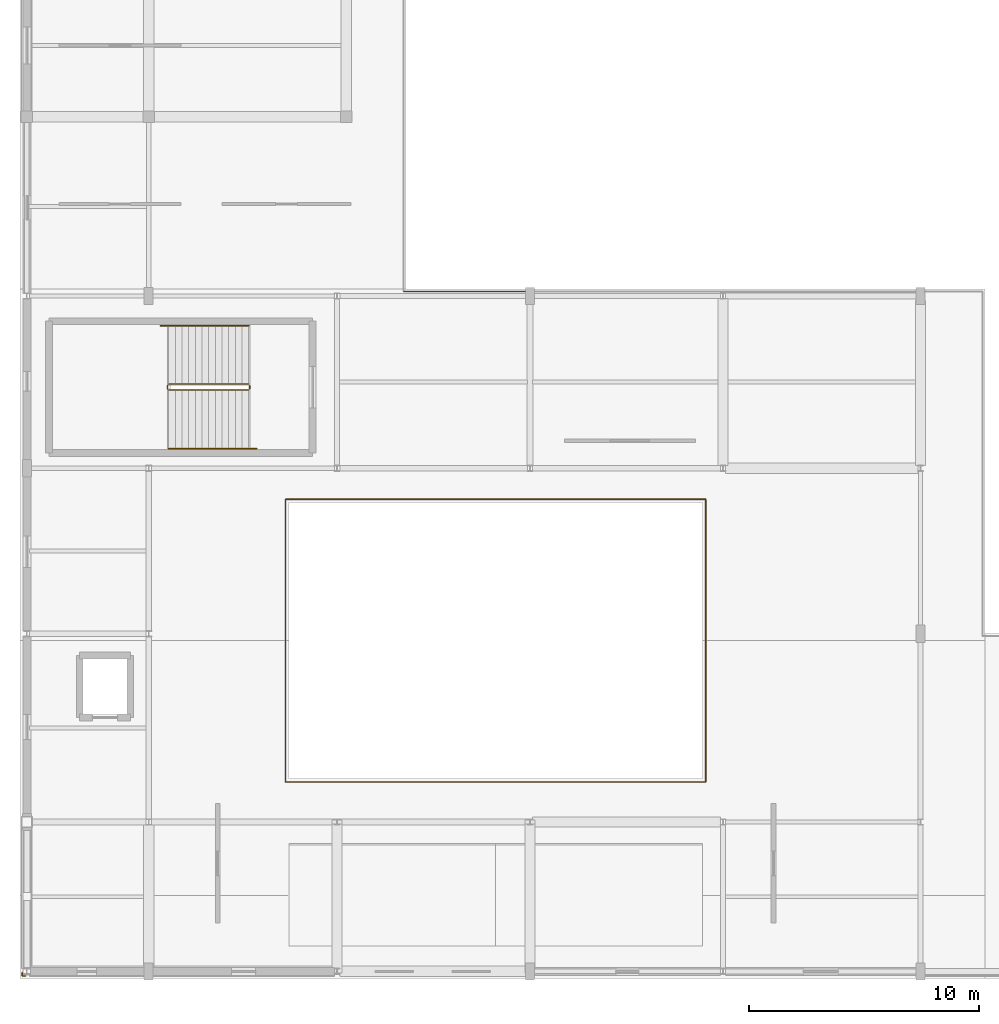
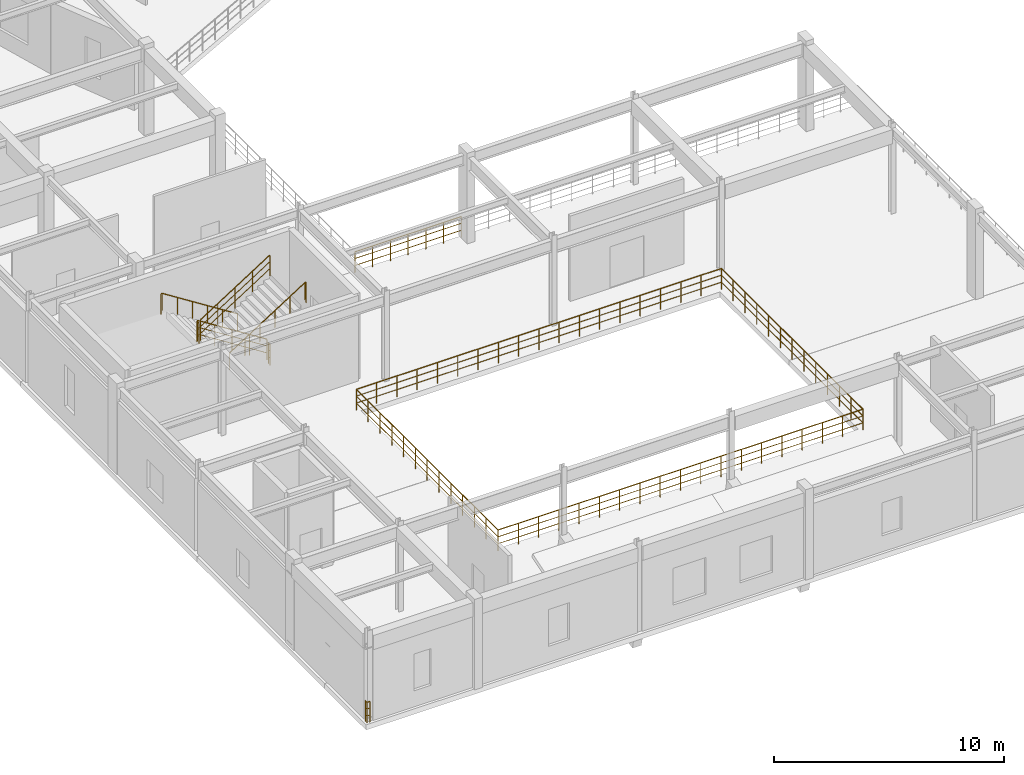
# One storey, part 130 of 144: 13 railings.
"""IFC4 building model written with IfcOpenShell, lengths in metres."""

from ifc_helpers import new_model, si_unit, direction, frame, origin, origin_2d, place, context, subcontext, project, spatial, circle, extrude, material, type_object, element, save


model = new_model("IFC4")

# Units and contexts
model_context = context("Model", 3, precision=1e-05, world=origin(), true_north=direction((0.0, 1.0)))
body_context = subcontext(model_context, "Body", "Model", "MODEL_VIEW")
ifc_project = project(units=[si_unit("LENGTHUNIT", "METRE"), si_unit("AREAUNIT", "SQUARE_METRE"), si_unit("VOLUMEUNIT", "CUBIC_METRE"), si_unit("PLANEANGLEUNIT", "RADIAN"), si_unit("MASSUNIT", "GRAM", prefix="KILO")], contexts=[model_context])

# Site, building, storey
site_placement = place(None, origin())
site = spatial("IfcSite", under=ifc_project, at=site_placement, CompositionType="ELEMENT")
building_placement = place(site_placement, origin())
building = spatial("IfcBuilding", under=site, at=building_placement, Name="Cinderbank Siding Concert Hall", CompositionType="ELEMENT")
storey_placement = place(building_placement, frame((0.0, 0.0, 5.39990234375)))
storey = spatial("IfcBuildingStorey", under=building, at=storey_placement, Name="L02", CompositionType="ELEMENT", Elevation=5.39990234375)

# Railings
ifc_material_1 = material(Name="Spotted gum glulam timber GL18 (42 MPa)", Category="wood")
railing_type_1 = type_object("IfcRailingType", Name="BAL-01 Auditorium Tier Balustrade 1120mm", PredefinedType="BALUSTRADE", material=ifc_material_1)
railing_1_placement = place(storey_placement, frame((18.35009765625, 14.35009765625, 0.0)))
element("IfcRailing", 1, at=railing_1_placement, inside=storey, type_object=railing_type_1, Name="L02 CH Gallery Balustrade 0", PredefinedType="BALUSTRADE", context=body_context, shape_type="SweptSolid", body=[
    extrude(circle(Radius=0.02392578125, at=origin_2d()), frame((0.0, 0.0, 1.09619140625), z_axis=(1.0, 0.0, 0.0), x_axis=(0.0, 1.0, 0.0)), (0.0, 0.0, 1.0), 18.2998046875),
    extrude(circle(Radius=0.01611328125, at=origin_2d()), frame((0.0, 0.0, 0.36962890625), z_axis=(1.0, 0.0, 0.0), x_axis=(0.0, 1.0, 0.0)), (0.0, 0.0, 1.0), 18.2998046875),
    extrude(circle(Radius=0.01611328125, at=origin_2d()), frame((0.0, 0.0, 0.7392578125), z_axis=(1.0, 0.0, 0.0), x_axis=(0.0, 1.0, 0.0)), (0.0, 0.0, 1.0), 18.2998046875),
    extrude(circle(Radius=0.02099609375, at=origin_2d()), origin(), (0.0, 0.0, 1.0), 1.072021484375),
    extrude(circle(Radius=0.02099609375, at=origin_2d()), frame((1.0166015625, 0.0, 0.0)), (0.0, 0.0, 1.0), 1.072021484375),
    extrude(circle(Radius=0.02099609375, at=origin_2d()), frame((2.033203125, 0.0, 0.0)), (0.0, 0.0, 1.0), 1.072021484375),
    extrude(circle(Radius=0.02099609375, at=origin_2d()), frame((3.050048828125, 0.0, 0.0)), (0.0, 0.0, 1.0), 1.072021484375),
    extrude(circle(Radius=0.02099609375, at=origin_2d()), frame((4.066650390625, 0.0, 0.0)), (0.0, 0.0, 1.0), 1.072021484375),
    extrude(circle(Radius=0.02099609375, at=origin_2d()), frame((5.083251953125, 0.0, 0.0)), (0.0, 0.0, 1.0), 1.072021484375),
    extrude(circle(Radius=0.02099609375, at=origin_2d()), frame((6.099853515625, 0.0, 0.0)), (0.0, 0.0, 1.0), 1.072021484375),
    extrude(circle(Radius=0.02099609375, at=origin_2d()), frame((7.11669921875, 0.0, 0.0)), (0.0, 0.0, 1.0), 1.072021484375),
    extrude(circle(Radius=0.02099609375, at=origin_2d()), frame((8.13330078125, 0.0, 0.0)), (0.0, 0.0, 1.0), 1.072021484375),
    extrude(circle(Radius=0.02099609375, at=origin_2d()), frame((9.14990234375, 0.0, 0.0)), (0.0, 0.0, 1.0), 1.072021484375),
    extrude(circle(Radius=0.02099609375, at=origin_2d()), frame((10.16650390625, 0.0, 0.0)), (0.0, 0.0, 1.0), 1.072021484375),
    extrude(circle(Radius=0.02099609375, at=origin_2d()), frame((11.18310546875, 0.0, 0.0)), (0.0, 0.0, 1.0), 1.072021484375),
    extrude(circle(Radius=0.02099609375, at=origin_2d()), frame((12.199951171875, 0.0, 0.0)), (0.0, 0.0, 1.0), 1.072021484375),
    extrude(circle(Radius=0.02099609375, at=origin_2d()), frame((13.216552734375, 0.0, 0.0)), (0.0, 0.0, 1.0), 1.072021484375),
    extrude(circle(Radius=0.02099609375, at=origin_2d()), frame((14.233154296875, 0.0, 0.0)), (0.0, 0.0, 1.0), 1.072021484375),
    extrude(circle(Radius=0.02099609375, at=origin_2d()), frame((15.249755859375, 0.0, 0.0)), (0.0, 0.0, 1.0), 1.072021484375),
    extrude(circle(Radius=0.02099609375, at=origin_2d()), frame((16.2666015625, 0.0, 0.0)), (0.0, 0.0, 1.0), 1.072021484375),
    extrude(circle(Radius=0.02099609375, at=origin_2d()), frame((17.283203125, 0.0, 0.0)), (0.0, 0.0, 1.0), 1.072021484375),
    extrude(circle(Radius=0.02099609375, at=origin_2d()), frame((18.2998046875, 0.0, 0.0)), (0.0, 0.0, 1.0), 1.072021484375),
])
railing_2_placement = place(storey_placement, frame((36.64990234375, 14.35009765625, 0.0)))
element("IfcRailing", 2, at=railing_2_placement, inside=storey, type_object=railing_type_1, Name="L02 CH Gallery Balustrade 1", PredefinedType="BALUSTRADE", context=body_context, shape_type="SweptSolid", body=[
    extrude(circle(Radius=0.02392578125, at=origin_2d()), frame((0.0, 0.0, 1.09619140625), z_axis=(0.0, 1.0, 0.0), x_axis=(-1.0, 0.0, 0.0)), (0.0, 0.0, 1.0), 12.2998046875),
    extrude(circle(Radius=0.01611328125, at=origin_2d()), frame((0.0, 0.0, 0.36962890625), z_axis=(0.0, 1.0, 0.0), x_axis=(-1.0, 0.0, 0.0)), (0.0, 0.0, 1.0), 12.2998046875),
    extrude(circle(Radius=0.01611328125, at=origin_2d()), frame((0.0, 0.0, 0.7392578125), z_axis=(0.0, 1.0, 0.0), x_axis=(-1.0, 0.0, 0.0)), (0.0, 0.0, 1.0), 12.2998046875),
    extrude(circle(Radius=0.02099609375, at=origin_2d()), origin(), (0.0, 0.0, 1.0), 1.072021484375),
    extrude(circle(Radius=0.02099609375, at=origin_2d()), frame((0.0, 1.02490234375, 0.0)), (0.0, 0.0, 1.0), 1.072021484375),
    extrude(circle(Radius=0.02099609375, at=origin_2d()), frame((0.0, 2.050048828125, 0.0)), (0.0, 0.0, 1.0), 1.072021484375),
    extrude(circle(Radius=0.02099609375, at=origin_2d()), frame((0.0, 3.074951171875, 0.0)), (0.0, 0.0, 1.0), 1.072021484375),
    extrude(circle(Radius=0.02099609375, at=origin_2d()), frame((0.0, 4.099853515625, 0.0)), (0.0, 0.0, 1.0), 1.072021484375),
    extrude(circle(Radius=0.02099609375, at=origin_2d()), frame((0.0, 5.125, 0.0)), (0.0, 0.0, 1.0), 1.072021484375),
    extrude(circle(Radius=0.02099609375, at=origin_2d()), frame((0.0, 6.14990234375, 0.0)), (0.0, 0.0, 1.0), 1.072021484375),
    extrude(circle(Radius=0.02099609375, at=origin_2d()), frame((0.0, 7.1748046875, 0.0)), (0.0, 0.0, 1.0), 1.072021484375),
    extrude(circle(Radius=0.02099609375, at=origin_2d()), frame((0.0, 8.199951171875, 0.0)), (0.0, 0.0, 1.0), 1.072021484375),
    extrude(circle(Radius=0.02099609375, at=origin_2d()), frame((0.0, 9.224853515625, 0.0)), (0.0, 0.0, 1.0), 1.072021484375),
    extrude(circle(Radius=0.02099609375, at=origin_2d()), frame((0.0, 10.249755859375, 0.0)), (0.0, 0.0, 1.0), 1.072021484375),
    extrude(circle(Radius=0.02099609375, at=origin_2d()), frame((0.0, 11.27490234375, 0.0)), (0.0, 0.0, 1.0), 1.072021484375),
    extrude(circle(Radius=0.02099609375, at=origin_2d()), frame((0.0, 12.2998046875, 0.0)), (0.0, 0.0, 1.0), 1.072021484375),
])
railing_3_placement = place(storey_placement, frame((36.64990234375, 26.64990234375, 0.0)))
element("IfcRailing", 3, at=railing_3_placement, inside=storey, type_object=railing_type_1, Name="L02 CH Gallery Balustrade 2", PredefinedType="BALUSTRADE", context=body_context, shape_type="SweptSolid", body=[
    extrude(circle(Radius=0.02392578125, at=origin_2d()), frame((0.0, 0.0, 1.09619140625), z_axis=(-1.0, 0.0, 0.0), x_axis=(0.0, -1.0, 0.0)), (0.0, 0.0, 1.0), 18.2998046875),
    extrude(circle(Radius=0.01611328125, at=origin_2d()), frame((0.0, 0.0, 0.36962890625), z_axis=(-1.0, 0.0, 0.0), x_axis=(0.0, -1.0, 0.0)), (0.0, 0.0, 1.0), 18.2998046875),
    extrude(circle(Radius=0.01611328125, at=origin_2d()), frame((0.0, 0.0, 0.7392578125), z_axis=(-1.0, 0.0, 0.0), x_axis=(0.0, -1.0, 0.0)), (0.0, 0.0, 1.0), 18.2998046875),
    extrude(circle(Radius=0.02099609375, at=origin_2d()), origin(), (0.0, 0.0, 1.0), 1.072021484375),
    extrude(circle(Radius=0.02099609375, at=origin_2d()), frame((-1.0166015625, 0.0, 0.0)), (0.0, 0.0, 1.0), 1.072021484375),
    extrude(circle(Radius=0.02099609375, at=origin_2d()), frame((-2.033203125, 0.0, 0.0)), (0.0, 0.0, 1.0), 1.072021484375),
    extrude(circle(Radius=0.02099609375, at=origin_2d()), frame((-3.050048828125, 0.0, 0.0)), (0.0, 0.0, 1.0), 1.072021484375),
    extrude(circle(Radius=0.02099609375, at=origin_2d()), frame((-4.066650390625, 0.0, 0.0)), (0.0, 0.0, 1.0), 1.072021484375),
    extrude(circle(Radius=0.02099609375, at=origin_2d()), frame((-5.083251953125, 0.0, 0.0)), (0.0, 0.0, 1.0), 1.072021484375),
    extrude(circle(Radius=0.02099609375, at=origin_2d()), frame((-6.099853515625, 0.0, 0.0)), (0.0, 0.0, 1.0), 1.072021484375),
    extrude(circle(Radius=0.02099609375, at=origin_2d()), frame((-7.11669921875, 0.0, 0.0)), (0.0, 0.0, 1.0), 1.072021484375),
    extrude(circle(Radius=0.02099609375, at=origin_2d()), frame((-8.13330078125, 0.0, 0.0)), (0.0, 0.0, 1.0), 1.072021484375),
    extrude(circle(Radius=0.02099609375, at=origin_2d()), frame((-9.14990234375, 0.0, 0.0)), (0.0, 0.0, 1.0), 1.072021484375),
    extrude(circle(Radius=0.02099609375, at=origin_2d()), frame((-10.16650390625, 0.0, 0.0)), (0.0, 0.0, 1.0), 1.072021484375),
    extrude(circle(Radius=0.02099609375, at=origin_2d()), frame((-11.18310546875, 0.0, 0.0)), (0.0, 0.0, 1.0), 1.072021484375),
    extrude(circle(Radius=0.02099609375, at=origin_2d()), frame((-12.199951171875, 0.0, 0.0)), (0.0, 0.0, 1.0), 1.072021484375),
    extrude(circle(Radius=0.02099609375, at=origin_2d()), frame((-13.216552734375, 0.0, 0.0)), (0.0, 0.0, 1.0), 1.072021484375),
    extrude(circle(Radius=0.02099609375, at=origin_2d()), frame((-14.233154296875, 0.0, 0.0)), (0.0, 0.0, 1.0), 1.072021484375),
    extrude(circle(Radius=0.02099609375, at=origin_2d()), frame((-15.249755859375, 0.0, 0.0)), (0.0, 0.0, 1.0), 1.072021484375),
    extrude(circle(Radius=0.02099609375, at=origin_2d()), frame((-16.2666015625, 0.0, 0.0)), (0.0, 0.0, 1.0), 1.072021484375),
    extrude(circle(Radius=0.02099609375, at=origin_2d()), frame((-17.283203125, 0.0, 0.0)), (0.0, 0.0, 1.0), 1.072021484375),
    extrude(circle(Radius=0.02099609375, at=origin_2d()), frame((-18.2998046875, 0.0, 0.0)), (0.0, 0.0, 1.0), 1.072021484375),
])
railing_4_placement = place(storey_placement, frame((18.35009765625, 26.64990234375, 0.0)))
element("IfcRailing", 4, at=railing_4_placement, inside=storey, type_object=railing_type_1, Name="L02 CH Gallery Balustrade 3", PredefinedType="BALUSTRADE", context=body_context, shape_type="SweptSolid", body=[
    extrude(circle(Radius=0.02392578125, at=origin_2d()), frame((0.0, 0.0, 1.09619140625), z_axis=(0.0, -1.0, 0.0), x_axis=(1.0, 0.0, 0.0)), (0.0, 0.0, 1.0), 12.2998046875),
    extrude(circle(Radius=0.01611328125, at=origin_2d()), frame((0.0, 0.0, 0.36962890625), z_axis=(0.0, -1.0, 0.0), x_axis=(1.0, 0.0, 0.0)), (0.0, 0.0, 1.0), 12.2998046875),
    extrude(circle(Radius=0.01611328125, at=origin_2d()), frame((0.0, 0.0, 0.7392578125), z_axis=(0.0, -1.0, 0.0), x_axis=(1.0, 0.0, 0.0)), (0.0, 0.0, 1.0), 12.2998046875),
    extrude(circle(Radius=0.02099609375, at=origin_2d()), origin(), (0.0, 0.0, 1.0), 1.072021484375),
    extrude(circle(Radius=0.02099609375, at=origin_2d()), frame((0.0, -1.02490234375, 0.0)), (0.0, 0.0, 1.0), 1.072021484375),
    extrude(circle(Radius=0.02099609375, at=origin_2d()), frame((0.0, -2.050048828125, 0.0)), (0.0, 0.0, 1.0), 1.072021484375),
    extrude(circle(Radius=0.02099609375, at=origin_2d()), frame((0.0, -3.074951171875, 0.0)), (0.0, 0.0, 1.0), 1.072021484375),
    extrude(circle(Radius=0.02099609375, at=origin_2d()), frame((0.0, -4.099853515625, 0.0)), (0.0, 0.0, 1.0), 1.072021484375),
    extrude(circle(Radius=0.02099609375, at=origin_2d()), frame((0.0, -5.125, 0.0)), (0.0, 0.0, 1.0), 1.072021484375),
    extrude(circle(Radius=0.02099609375, at=origin_2d()), frame((0.0, -6.14990234375, 0.0)), (0.0, 0.0, 1.0), 1.072021484375),
    extrude(circle(Radius=0.02099609375, at=origin_2d()), frame((0.0, -7.1748046875, 0.0)), (0.0, 0.0, 1.0), 1.072021484375),
    extrude(circle(Radius=0.02099609375, at=origin_2d()), frame((0.0, -8.199951171875, 0.0)), (0.0, 0.0, 1.0), 1.072021484375),
    extrude(circle(Radius=0.02099609375, at=origin_2d()), frame((0.0, -9.224853515625, 0.0)), (0.0, 0.0, 1.0), 1.072021484375),
    extrude(circle(Radius=0.02099609375, at=origin_2d()), frame((0.0, -10.249755859375, 0.0)), (0.0, 0.0, 1.0), 1.072021484375),
    extrude(circle(Radius=0.02099609375, at=origin_2d()), frame((0.0, -11.27490234375, 0.0)), (0.0, 0.0, 1.0), 1.072021484375),
    extrude(circle(Radius=0.02099609375, at=origin_2d()), frame((0.0, -12.2998046875, 0.0)), (0.0, 0.0, 1.0), 1.072021484375),
])
ifc_material_2 = material(Name="Structural steel AS/NZS 3679.1 Grade 350 (340 MPa)", Category="steel")
railing_type_2 = type_object("IfcRailingType", Name="GD-01 Terrace & Perimeter Guardrail 1120mm", PredefinedType="GUARDRAIL", material=ifc_material_2)
railing_5_placement = place(storey_placement, frame((23.5, 35.699951171875, 0.0)))
element("IfcRailing", 5, at=railing_5_placement, inside=storey, type_object=railing_type_2, Name="L02 Perimeter Guardrail #50", PredefinedType="GUARDRAIL", context=body_context, shape_type="SweptSolid", body=[
    extrude(circle(Radius=0.02392578125, at=origin_2d()), frame((0.0, 0.0, 1.09619140625), z_axis=(1.0, 0.0, 0.0), x_axis=(0.0, 1.0, 0.0)), (0.0, 0.0, 1.0), 5.333984375),
    extrude(circle(Radius=0.01611328125, at=origin_2d()), frame((0.0, 0.0, 0.36962890625), z_axis=(1.0, 0.0, 0.0), x_axis=(0.0, 1.0, 0.0)), (0.0, 0.0, 1.0), 5.333984375),
    extrude(circle(Radius=0.01611328125, at=origin_2d()), frame((0.0, 0.0, 0.7392578125), z_axis=(1.0, 0.0, 0.0), x_axis=(0.0, 1.0, 0.0)), (0.0, 0.0, 1.0), 5.333984375),
    extrude(circle(Radius=0.02099609375, at=origin_2d()), origin(), (0.0, 0.0, 1.0), 1.072021484375),
    extrude(circle(Radius=0.02099609375, at=origin_2d()), frame((0.888916015625, 0.0, 0.0)), (0.0, 0.0, 1.0), 1.072021484375),
    extrude(circle(Radius=0.02099609375, at=origin_2d()), frame((1.778076171875, 0.0, 0.0)), (0.0, 0.0, 1.0), 1.072021484375),
    extrude(circle(Radius=0.02099609375, at=origin_2d()), frame((2.6669921875, 0.0, 0.0)), (0.0, 0.0, 1.0), 1.072021484375),
    extrude(circle(Radius=0.02099609375, at=origin_2d()), frame((3.555908203125, 0.0, 0.0)), (0.0, 0.0, 1.0), 1.072021484375),
    extrude(circle(Radius=0.02099609375, at=origin_2d()), frame((4.445068359375, 0.0, 0.0)), (0.0, 0.0, 1.0), 1.072021484375),
    extrude(circle(Radius=0.02099609375, at=origin_2d()), frame((5.333984375, 0.0, 0.0)), (0.0, 0.0, 1.0), 1.072021484375),
])
railing_6_placement = place(storey_placement, frame((7.0458984375, 5.89990234375, 0.0)))
element("IfcRailing", 6, at=railing_6_placement, inside=storey, type_object=railing_type_2, Name="L02 Perimeter Guardrail #59", PredefinedType="GUARDRAIL", context=body_context, shape_type="SweptSolid", body=[
    extrude(circle(Radius=0.02392578125, at=origin_2d()), frame((0.0, 0.0, 1.09619140625), z_axis=(-1.0, 0.0, 0.0), x_axis=(0.0, -1.0, 0.0)), (0.0, 0.0, 1.0), 0.14599609375),
    extrude(circle(Radius=0.01611328125, at=origin_2d()), frame((0.0, 0.0, 0.36962890625), z_axis=(-1.0, 0.0, 0.0), x_axis=(0.0, -1.0, 0.0)), (0.0, 0.0, 1.0), 0.14599609375),
    extrude(circle(Radius=0.01611328125, at=origin_2d()), frame((0.0, 0.0, 0.7392578125), z_axis=(-1.0, 0.0, 0.0), x_axis=(0.0, -1.0, 0.0)), (0.0, 0.0, 1.0), 0.14599609375),
    extrude(circle(Radius=0.02099609375, at=origin_2d()), origin(), (0.0, 0.0, 1.0), 1.072021484375),
    extrude(circle(Radius=0.02099609375, at=origin_2d()), frame((-0.14599609375, 0.0, 0.0)), (0.0, 0.0, 1.0), 1.072021484375),
])
railing_7_placement = place(storey_placement, frame((6.89990234375, 5.89990234375, 0.0)))
element("IfcRailing", 7, at=railing_7_placement, inside=storey, type_object=railing_type_2, Name="L02 Perimeter Guardrail #60", PredefinedType="GUARDRAIL", context=body_context, shape_type="SweptSolid", body=[
    extrude(circle(Radius=0.02392578125, at=origin_2d()), frame((0.0, 0.0, 1.09619140625), z_axis=(0.0, 1.0, 0.0), x_axis=(-1.0, 0.0, 0.0)), (0.0, 0.0, 1.0), 0.14599609375),
    extrude(circle(Radius=0.01611328125, at=origin_2d()), frame((0.0, 0.0, 0.36962890625), z_axis=(0.0, 1.0, 0.0), x_axis=(-1.0, 0.0, 0.0)), (0.0, 0.0, 1.0), 0.14599609375),
    extrude(circle(Radius=0.01611328125, at=origin_2d()), frame((0.0, 0.0, 0.7392578125), z_axis=(0.0, 1.0, 0.0), x_axis=(-1.0, 0.0, 0.0)), (0.0, 0.0, 1.0), 0.14599609375),
    extrude(circle(Radius=0.02099609375, at=origin_2d()), origin(), (0.0, 0.0, 1.0), 1.072021484375),
    extrude(circle(Radius=0.02099609375, at=origin_2d()), frame((0.0, 0.14599609375, 0.0)), (0.0, 0.0, 1.0), 1.072021484375),
])
railing_type_3 = type_object("IfcRailingType", Name="STG-01 Stair Well Guardrail 1120mm", PredefinedType="GUARDRAIL", material=ifc_material_2)
railing_8_placement = place(storey_placement, frame((16.75, 31.659912109375, 0.184814453125)))
element("IfcRailing", 8, at=railing_8_placement, inside=storey, type_object=railing_type_3, Name="L02 ST-06 stair guard 1", PredefinedType="GUARDRAIL", context=body_context, shape_type="SweptSolid", body=[
    extrude(circle(Radius=0.02392578125, at=origin_2d()), frame((0.0, 0.0, 1.09619140625), z_axis=(-0.843573748531, 0.0, 0.537013343214), x_axis=(0.0, -1.0, 0.0)), (0.0, 0.0, 1.0), 4.125244140625),
    extrude(circle(Radius=0.01611328125, at=origin_2d()), frame((0.0, 0.0, 0.36962890625), z_axis=(-0.843573748531, 0.0, 0.537013343214), x_axis=(0.0, -1.0, 0.0)), (0.0, 0.0, 1.0), 4.125244140625),
    extrude(circle(Radius=0.01611328125, at=origin_2d()), frame((0.0, 0.0, 0.7392578125), z_axis=(-0.843573748531, 0.0, 0.537013343214), x_axis=(0.0, -1.0, 0.0)), (0.0, 0.0, 1.0), 4.125244140625),
    extrude(circle(Radius=0.02099609375, at=origin_2d()), origin(), (0.0, 0.0, 1.0), 1.072021484375),
    extrude(circle(Radius=0.02099609375, at=origin_2d()), frame((-0.8701171875, 0.0, 0.5537109375)), (0.0, 0.0, 1.0), 1.072021484375),
    extrude(circle(Radius=0.02099609375, at=origin_2d()), frame((-1.739990234375, 0.0, 1.107666015625)), (0.0, 0.0, 1.0), 1.072021484375),
    extrude(circle(Radius=0.02099609375, at=origin_2d()), frame((-2.60986328125, 0.0, 1.66162109375)), (0.0, 0.0, 1.0), 1.072021484375),
    extrude(circle(Radius=0.02099609375, at=origin_2d()), frame((-3.47998046875, 0.0, 2.21533203125)), (0.0, 0.0, 1.0), 1.072021484375),
])
railing_9_placement = place(storey_placement, frame((13.219970703125, 31.610107421875, 2.400146484375)))
element("IfcRailing", 9, at=railing_9_placement, inside=storey, type_object=railing_type_3, Name="L02 ST-06 stair guard 2", PredefinedType="GUARDRAIL", context=body_context, shape_type="SweptSolid", body=[
    extrude(circle(Radius=0.02392578125, at=origin_2d()), frame((0.0, 0.0, 1.09619140625), z_axis=(0.0, -1.0, 0.0), x_axis=(1.0, 0.0, 0.0)), (0.0, 0.0, 1.0), 0.16015625),
    extrude(circle(Radius=0.01611328125, at=origin_2d()), frame((0.0, 0.0, 0.36962890625), z_axis=(0.0, -1.0, 0.0), x_axis=(1.0, 0.0, 0.0)), (0.0, 0.0, 1.0), 0.16015625),
    extrude(circle(Radius=0.01611328125, at=origin_2d()), frame((0.0, 0.0, 0.7392578125), z_axis=(0.0, -1.0, 0.0), x_axis=(1.0, 0.0, 0.0)), (0.0, 0.0, 1.0), 0.16015625),
    extrude(circle(Radius=0.02099609375, at=origin_2d()), origin(), (0.0, 0.0, 1.0), 1.072021484375),
    extrude(circle(Radius=0.02099609375, at=origin_2d()), frame((0.0, -0.16015625, 0.0)), (0.0, 0.0, 1.0), 1.072021484375),
])
railing_10_placement = place(storey_placement, frame((13.27001953125, 31.39990234375, 2.584716796875)))
element("IfcRailing", 10, at=railing_10_placement, inside=storey, type_object=railing_type_3, Name="L02 ST-06 stair guard 3", PredefinedType="GUARDRAIL", context=body_context, shape_type="SweptSolid", body=[
    extrude(circle(Radius=0.02392578125, at=origin_2d()), frame((0.0, 0.0, 1.09619140625), z_axis=(0.843573748531, 0.0, 0.537013343214), x_axis=(0.0, 1.0, 0.0)), (0.0, 0.0, 1.0), 4.125244140625),
    extrude(circle(Radius=0.01611328125, at=origin_2d()), frame((0.0, 0.0, 0.36962890625), z_axis=(0.843573748531, 0.0, 0.537013343214), x_axis=(0.0, 1.0, 0.0)), (0.0, 0.0, 1.0), 4.125244140625),
    extrude(circle(Radius=0.01611328125, at=origin_2d()), frame((0.0, 0.0, 0.7392578125), z_axis=(0.843573748531, 0.0, 0.537013343214), x_axis=(0.0, 1.0, 0.0)), (0.0, 0.0, 1.0), 4.125244140625),
    extrude(circle(Radius=0.02099609375, at=origin_2d()), origin(), (0.0, 0.0, 1.0), 1.072021484375),
    extrude(circle(Radius=0.02099609375, at=origin_2d()), frame((0.8701171875, 0.0, 0.5537109375)), (0.0, 0.0, 1.0), 1.072021484375),
    extrude(circle(Radius=0.02099609375, at=origin_2d()), frame((1.739990234375, 0.0, 1.107666015625)), (0.0, 0.0, 1.0), 1.072021484375),
    extrude(circle(Radius=0.02099609375, at=origin_2d()), frame((2.60986328125, 0.0, 1.66162109375)), (0.0, 0.0, 1.0), 1.072021484375),
    extrude(circle(Radius=0.02099609375, at=origin_2d()), frame((3.47998046875, 0.0, 2.21533203125)), (0.0, 0.0, 1.0), 1.072021484375),
])
railing_11_placement = place(storey_placement, frame((16.800048828125, 31.610107421875, 0.0)))
element("IfcRailing", 11, at=railing_11_placement, inside=storey, type_object=railing_type_3, Name="L02 ST-06 stair guard 4", PredefinedType="GUARDRAIL", context=body_context, shape_type="SweptSolid", body=[
    extrude(circle(Radius=0.02392578125, at=origin_2d()), frame((0.0, 0.0, 1.09619140625), z_axis=(0.0, -1.0, 0.0), x_axis=(1.0, 0.0, 0.0)), (0.0, 0.0, 1.0), 0.16015625),
    extrude(circle(Radius=0.01611328125, at=origin_2d()), frame((0.0, 0.0, 0.36962890625), z_axis=(0.0, -1.0, 0.0), x_axis=(1.0, 0.0, 0.0)), (0.0, 0.0, 1.0), 0.16015625),
    extrude(circle(Radius=0.01611328125, at=origin_2d()), frame((0.0, 0.0, 0.7392578125), z_axis=(0.0, -1.0, 0.0), x_axis=(1.0, 0.0, 0.0)), (0.0, 0.0, 1.0), 0.16015625),
    extrude(circle(Radius=0.02099609375, at=origin_2d()), origin(), (0.0, 0.0, 1.0), 1.072021484375),
    extrude(circle(Radius=0.02099609375, at=origin_2d()), frame((0.0, -0.16015625, 0.0)), (0.0, 0.0, 1.0), 1.072021484375),
])
railing_type_4 = type_object("IfcRailingType", Name="STH-01 Stair Pitch Handrail 920mm", PredefinedType="HANDRAIL", material=ifc_material_2)
railing_12_placement = place(storey_placement, frame((16.75, 34.2099609375, 0.184814453125)))
element("IfcRailing", 12, at=railing_12_placement, inside=storey, type_object=railing_type_4, Name="L02 ST-06 stair handrail 1", PredefinedType="HANDRAIL", context=body_context, shape_type="SweptSolid", body=[
    extrude(circle(Radius=0.02392578125, at=origin_2d()), frame((0.0, 0.0, 0.89599609375), z_axis=(-0.843580498726, 0.0, 0.537002739443), x_axis=(0.0, -1.0, 0.0)), (0.0, 0.0, 1.0), 4.468994140625),
    extrude(circle(Radius=0.02392578125, at=origin_2d()), frame((-3.77001953125, 0.0, 3.2958984375), z_axis=(-1.0, 0.0, 0.0), x_axis=(0.0, -1.0, 0.0)), (0.0, 0.0, 1.0), 0.06005859375),
    extrude(circle(Radius=0.02099609375, at=origin_2d()), origin(), (0.0, 0.0, 1.0), 0.871826171875),
    extrude(circle(Radius=0.02099609375, at=origin_2d()), frame((-0.75390625, 0.0, 0.47998046875)), (0.0, 0.0, 1.0), 0.871826171875),
    extrude(circle(Radius=0.02099609375, at=origin_2d()), frame((-1.508056640625, 0.0, 0.9599609375)), (0.0, 0.0, 1.0), 0.871826171875),
    extrude(circle(Radius=0.02099609375, at=origin_2d()), frame((-2.261962890625, 0.0, 1.43994140625)), (0.0, 0.0, 1.0), 0.871826171875),
    extrude(circle(Radius=0.02099609375, at=origin_2d()), frame((-3.01611328125, 0.0, 1.919921875)), (0.0, 0.0, 1.0), 0.871826171875),
    extrude(circle(Radius=0.02099609375, at=origin_2d()), frame((-3.77001953125, 0.0, 2.39990234375)), (0.0, 0.0, 1.0), 0.871826171875),
    extrude(circle(Radius=0.02099609375, at=origin_2d()), frame((-3.830078125, 0.0, 2.21533203125)), (0.0, 0.0, 1.0), 1.056396484375),
])
railing_13_placement = place(storey_placement, frame((13.27001953125, 28.85009765625, 2.584716796875)))
element("IfcRailing", 13, at=railing_13_placement, inside=storey, type_object=railing_type_4, Name="L02 ST-06 stair handrail 2", PredefinedType="HANDRAIL", context=body_context, shape_type="SweptSolid", body=[
    extrude(circle(Radius=0.02392578125, at=origin_2d()), frame((0.0, 0.0, 0.89599609375), z_axis=(0.843580498726, 0.0, 0.537002739443), x_axis=(0.0, 1.0, 0.0)), (0.0, 0.0, 1.0), 4.468994140625),
    extrude(circle(Radius=0.02392578125, at=origin_2d()), frame((3.77001953125, 0.0, 3.2958984375), z_axis=(1.0, 0.0, 0.0), x_axis=(0.0, 1.0, 0.0)), (0.0, 0.0, 1.0), 0.06005859375),
    extrude(circle(Radius=0.02099609375, at=origin_2d()), origin(), (0.0, 0.0, 1.0), 0.871826171875),
    extrude(circle(Radius=0.02099609375, at=origin_2d()), frame((0.75390625, 0.0, 0.47998046875)), (0.0, 0.0, 1.0), 0.871826171875),
    extrude(circle(Radius=0.02099609375, at=origin_2d()), frame((1.508056640625, 0.0, 0.9599609375)), (0.0, 0.0, 1.0), 0.871826171875),
    extrude(circle(Radius=0.02099609375, at=origin_2d()), frame((2.261962890625, 0.0, 1.43994140625)), (0.0, 0.0, 1.0), 0.871826171875),
    extrude(circle(Radius=0.02099609375, at=origin_2d()), frame((3.01611328125, 0.0, 1.919921875)), (0.0, 0.0, 1.0), 0.871826171875),
    extrude(circle(Radius=0.02099609375, at=origin_2d()), frame((3.77001953125, 0.0, 2.39990234375)), (0.0, 0.0, 1.0), 0.871826171875),
    extrude(circle(Radius=0.02099609375, at=origin_2d()), frame((3.830078125, 0.0, 2.21533203125)), (0.0, 0.0, 1.0), 1.056396484375),
])

save(model, "model.ifc")
